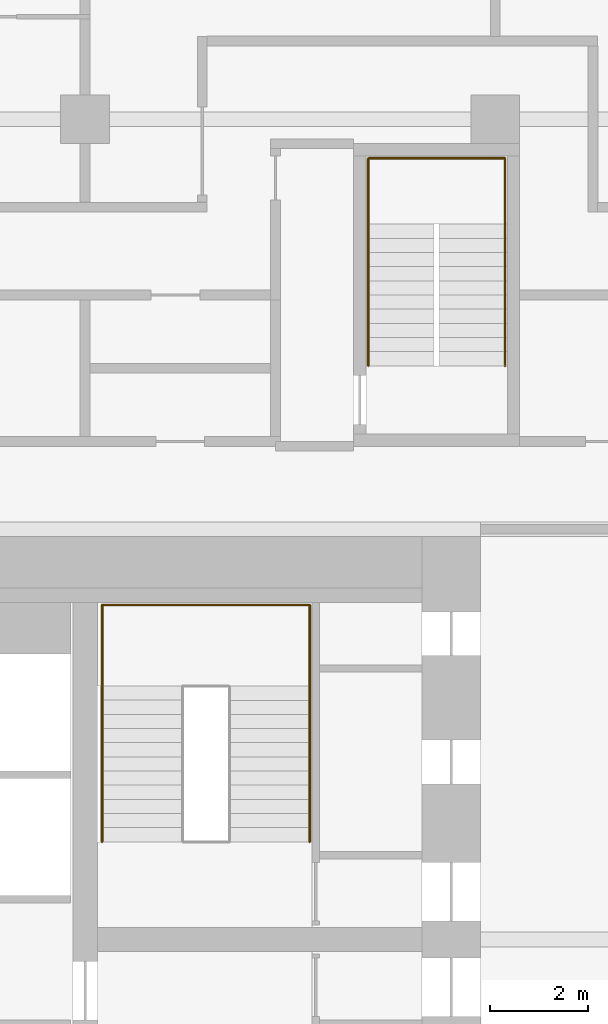
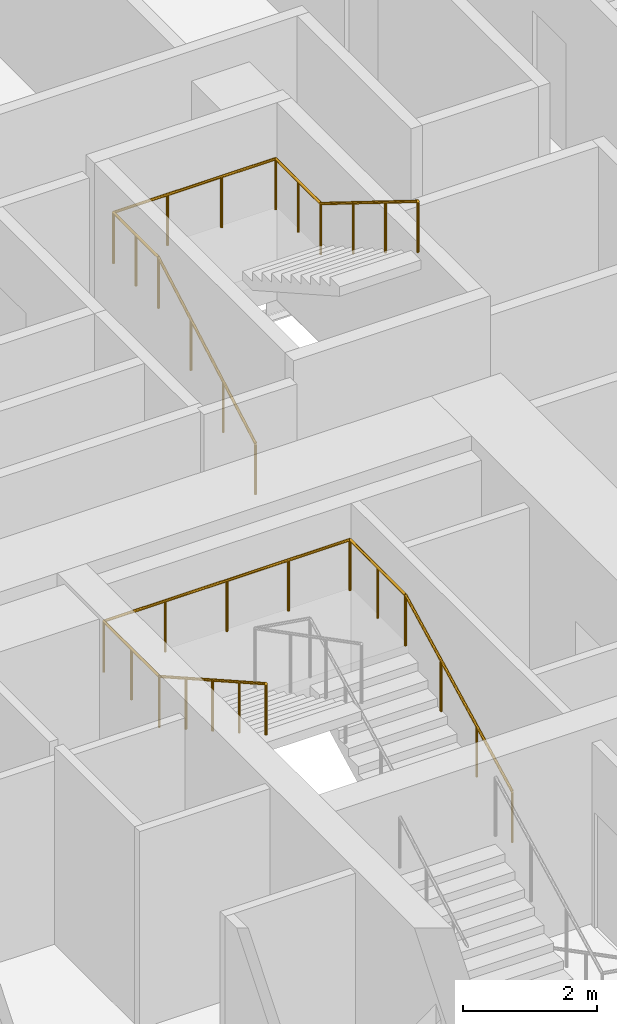
# One storey, part 26 of 26: 2 railings.
"""IFC4 building model written with IfcOpenShell, lengths in metres."""

from ifc_helpers import new_model, si_unit, direction, frame, origin, origin_2d, place, context, subcontext, project, spatial, circle, extrude, material, type_object, element, save


model = new_model("IFC4")

# Units and contexts
model_context = context("Model", 3, precision=1e-05, world=origin(), true_north=direction((0.0, 1.0)))
body_context = subcontext(model_context, "Body", "Model", "MODEL_VIEW")
ifc_project = project(units=[si_unit("LENGTHUNIT", "METRE"), si_unit("AREAUNIT", "SQUARE_METRE"), si_unit("VOLUMEUNIT", "CUBIC_METRE"), si_unit("PLANEANGLEUNIT", "RADIAN"), si_unit("MASSUNIT", "GRAM", prefix="KILO")], contexts=[model_context])

# Site, building, storey
site_placement = place(None, origin())
site = spatial("IfcSite", under=ifc_project, at=site_placement, CompositionType="ELEMENT")
building_placement = place(site_placement, origin())
building = spatial("IfcBuilding", under=site, at=building_placement, Name="Marenta Gate Hotel Tower", CompositionType="ELEMENT")
storey_placement = place(building_placement, frame((0.0, 0.0, 79.699951171875)))
storey = spatial("IfcBuildingStorey", under=building, at=storey_placement, Name="L18", CompositionType="ELEMENT", Elevation=79.699951171875)

# Railings
ifc_material = material(Name="Stainless steel", Category="steel")
railing_type = type_object("IfcRailingType", Name="Core stair handrail 950", PredefinedType="HANDRAIL", material=ifc_material)
railing_1_placement = place(storey_placement, frame((8.800048828125, 10.39990234375, 0.150146484375)))
element("IfcRailing", 1, at=railing_1_placement, inside=storey, type_object=railing_type, Name="HR-950 L18-KR-ST4-1", PredefinedType="HANDRAIL", context=body_context, shape_type="SweptSolid", body=[
    extrude(circle(Radius=0.02392578125, at=origin_2d()), frame((0.0, 0.0, 0.92578125), z_axis=(0.0, 0.888239641807, 0.459380385653), x_axis=(-1.0, 0.0, 0.0)), (0.0, 0.0, 1.0), 3.591552734375),
    extrude(circle(Radius=0.02392578125, at=origin_2d()), frame((0.0, 3.190185546875, 2.57568359375), z_axis=(0.0, 1.0, 0.0), x_axis=(-1.0, 0.0, 0.0)), (0.0, 0.0, 1.0), 1.659912109375),
    extrude(circle(Radius=0.02392578125, at=origin_2d()), frame((0.0, 4.85009765625, 2.57568359375), z_axis=(-1.0, 0.0, 0.0), x_axis=(0.0, -1.0, 0.0)), (0.0, 0.0, 1.0), 4.25),
    extrude(circle(Radius=0.02392578125, at=origin_2d()), frame((-4.25, 4.85009765625, 2.57568359375), z_axis=(0.0, -1.0, 0.0), x_axis=(1.0, 0.0, 0.0)), (0.0, 0.0, 1.0), 1.659912109375),
    extrude(circle(Radius=0.02392578125, at=origin_2d()), frame((-4.25, 3.190185546875, 2.57568359375), z_axis=(0.0, -0.870925075533, 0.491415824742), x_axis=(1.0, 0.0, 0.0)), (0.0, 0.0, 1.0), 3.6630859375),
    extrude(circle(Radius=0.02099609375, at=origin_2d()), origin(), (0.0, 0.0, 1.0), 0.90185546875),
    extrude(circle(Radius=0.02099609375, at=origin_2d()), frame((0.0, 1.0634765625, 0.550048828125)), (0.0, 0.0, 1.0), 0.90185546875),
    extrude(circle(Radius=0.02099609375, at=origin_2d()), frame((0.0, 2.126708984375, 1.099853515625)), (0.0, 0.0, 1.0), 0.90185546875),
    extrude(circle(Radius=0.02099609375, at=origin_2d()), frame((0.0, 3.190185546875, 1.64990234375)), (0.0, 0.0, 1.0), 0.90185546875),
    extrude(circle(Radius=0.02099609375, at=origin_2d()), frame((0.0, 4.02001953125, 1.64990234375)), (0.0, 0.0, 1.0), 0.90185546875),
    extrude(circle(Radius=0.02099609375, at=origin_2d()), frame((0.0, 4.85009765625, 1.64990234375)), (0.0, 0.0, 1.0), 0.90185546875),
    extrude(circle(Radius=0.02099609375, at=origin_2d()), frame((-1.0625, 4.85009765625, 1.64990234375)), (0.0, 0.0, 1.0), 0.90185546875),
    extrude(circle(Radius=0.02099609375, at=origin_2d()), frame((-2.125, 4.85009765625, 1.64990234375)), (0.0, 0.0, 1.0), 0.90185546875),
    extrude(circle(Radius=0.02099609375, at=origin_2d()), frame((-3.1875, 4.85009765625, 1.64990234375)), (0.0, 0.0, 1.0), 0.90185546875),
    extrude(circle(Radius=0.02099609375, at=origin_2d()), frame((-4.25, 4.85009765625, 1.64990234375)), (0.0, 0.0, 1.0), 0.90185546875),
    extrude(circle(Radius=0.02099609375, at=origin_2d()), frame((-4.25, 4.02001953125, 1.64990234375)), (0.0, 0.0, 1.0), 0.90185546875),
    extrude(circle(Radius=0.02099609375, at=origin_2d()), frame((-4.25, 3.190185546875, 1.64990234375)), (0.0, 0.0, 1.0), 0.90185546875),
    extrude(circle(Radius=0.02099609375, at=origin_2d()), frame((-4.25, 2.392578125, 2.099853515625)), (0.0, 0.0, 1.0), 0.90185546875),
    extrude(circle(Radius=0.02099609375, at=origin_2d()), frame((-4.25, 1.59521484375, 2.5498046875)), (0.0, 0.0, 1.0), 0.90185546875),
    extrude(circle(Radius=0.02099609375, at=origin_2d()), frame((-4.25, 0.797607421875, 3.0)), (0.0, 0.0, 1.0), 0.90185546875),
    extrude(circle(Radius=0.02099609375, at=origin_2d()), frame((-4.25, 0.0, 3.449951171875)), (0.0, 0.0, 1.0), 0.90185546875),
])
railing_2_placement = place(storey_placement, frame((10.0, 20.14990234375, 0.16357421875)))
element("IfcRailing", 2, at=railing_2_placement, inside=storey, type_object=railing_type, Name="HR-950 L18-RS-Z1-4-KR-1", PredefinedType="HANDRAIL", context=body_context, shape_type="SweptSolid", body=[
    extrude(circle(Radius=0.02392578125, at=origin_2d()), frame((0.0, 0.0, 0.92578125), z_axis=(0.0, 0.870914908162, 0.491433843708), x_axis=(-1.0, 0.0, 0.0)), (0.0, 0.0, 1.0), 3.330078125),
    extrude(circle(Radius=0.02392578125, at=origin_2d()), frame((0.0, 2.900146484375, 2.5625), z_axis=(0.0, 1.0, 0.0), x_axis=(-1.0, 0.0, 0.0)), (0.0, 0.0, 1.0), 1.349853515625),
    extrude(circle(Radius=0.02392578125, at=origin_2d()), frame((0.0, 4.25, 2.5625), z_axis=(1.0, 0.0, 0.0), x_axis=(0.0, 1.0, 0.0)), (0.0, 0.0, 1.0), 2.800048828125),
    extrude(circle(Radius=0.02392578125, at=origin_2d()), frame((2.800048828125, 4.25, 2.5625), z_axis=(0.0, -1.0, 0.0), x_axis=(1.0, 0.0, 0.0)), (0.0, 0.0, 1.0), 1.349853515625),
    extrude(circle(Radius=0.02392578125, at=origin_2d()), frame((2.800048828125, 2.900146484375, 2.5625), z_axis=(0.0, -0.849645691689, 0.527353959494), x_axis=(1.0, 0.0, 0.0)), (0.0, 0.0, 1.0), 3.413330078125),
    extrude(circle(Radius=0.02099609375, at=origin_2d()), origin(), (0.0, 0.0, 1.0), 0.90185546875),
    extrude(circle(Radius=0.02099609375, at=origin_2d()), frame((0.0, 0.966796875, 0.54541015625)), (0.0, 0.0, 1.0), 0.90185546875),
    extrude(circle(Radius=0.02099609375, at=origin_2d()), frame((0.0, 1.933349609375, 1.091064453125)), (0.0, 0.0, 1.0), 0.90185546875),
    extrude(circle(Radius=0.02099609375, at=origin_2d()), frame((0.0, 2.900146484375, 1.636474609375)), (0.0, 0.0, 1.0), 0.90185546875),
    extrude(circle(Radius=0.02099609375, at=origin_2d()), frame((0.0, 3.5751953125, 1.636474609375)), (0.0, 0.0, 1.0), 0.90185546875),
    extrude(circle(Radius=0.02099609375, at=origin_2d()), frame((0.0, 4.25, 1.636474609375)), (0.0, 0.0, 1.0), 0.90185546875),
    extrude(circle(Radius=0.02099609375, at=origin_2d()), frame((0.933349609375, 4.25, 1.636474609375)), (0.0, 0.0, 1.0), 0.90185546875),
    extrude(circle(Radius=0.02099609375, at=origin_2d()), frame((1.86669921875, 4.25, 1.636474609375)), (0.0, 0.0, 1.0), 0.90185546875),
    extrude(circle(Radius=0.02099609375, at=origin_2d()), frame((2.800048828125, 4.25, 1.636474609375)), (0.0, 0.0, 1.0), 0.90185546875),
    extrude(circle(Radius=0.02099609375, at=origin_2d()), frame((2.800048828125, 3.5751953125, 1.636474609375)), (0.0, 0.0, 1.0), 0.90185546875),
    extrude(circle(Radius=0.02099609375, at=origin_2d()), frame((2.800048828125, 2.900146484375, 1.636474609375)), (0.0, 0.0, 1.0), 0.90185546875),
    extrude(circle(Radius=0.02099609375, at=origin_2d()), frame((2.800048828125, 1.933349609375, 2.236572265625)), (0.0, 0.0, 1.0), 0.90185546875),
    extrude(circle(Radius=0.02099609375, at=origin_2d()), frame((2.800048828125, 0.966796875, 2.83642578125)), (0.0, 0.0, 1.0), 0.90185546875),
    extrude(circle(Radius=0.02099609375, at=origin_2d()), frame((2.800048828125, 0.0, 3.4365234375)), (0.0, 0.0, 1.0), 0.90185546875),
])

save(model, "model.ifc")
